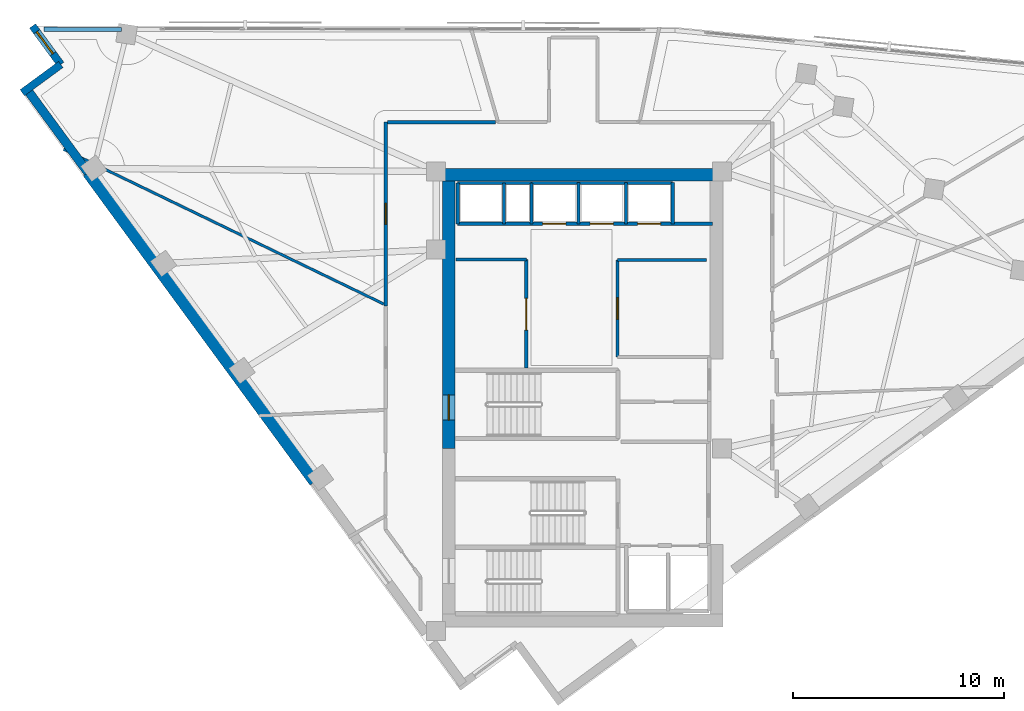
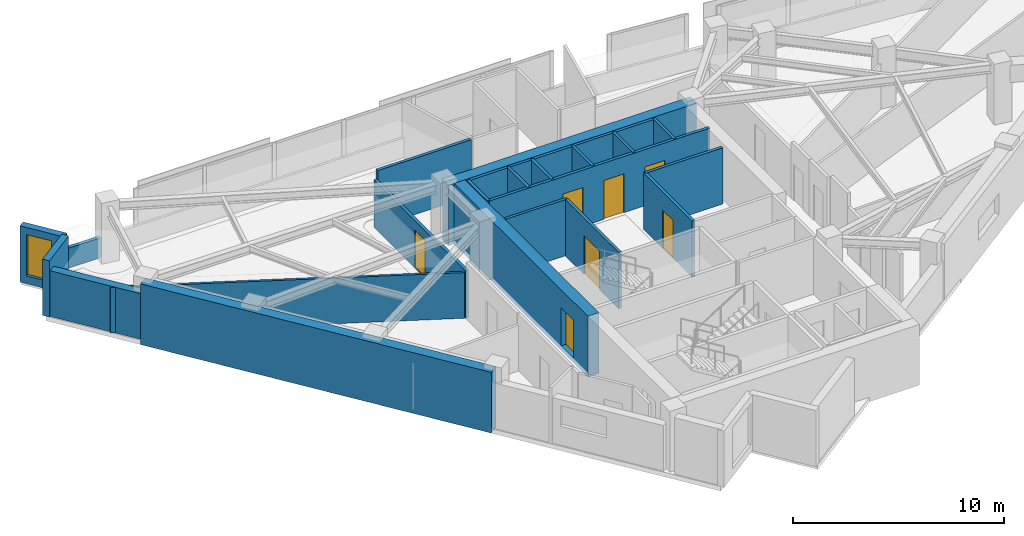
# One storey, part 9 of 13: 23 walls, 7 doors, 1 window, 8 openings.
"""IFC4 building model written with IfcOpenShell, lengths in metres."""

from ifc_helpers import new_model, si_unit, direction, frame, frame_2d, origin, place, context, subcontext, project, spatial, rectangle, extrude, material, layer, layer_set, type_object, element, fill, save


model = new_model("IFC4")

# Units and contexts
model_context = context("Model", 3, precision=1e-05, world=origin(), true_north=direction((0.0, 1.0)))
body_context = subcontext(model_context, "Body", "Model", "MODEL_VIEW")
ifc_project = project(units=[si_unit("LENGTHUNIT", "METRE"), si_unit("AREAUNIT", "SQUARE_METRE"), si_unit("VOLUMEUNIT", "CUBIC_METRE"), si_unit("PLANEANGLEUNIT", "RADIAN"), si_unit("MASSUNIT", "GRAM", prefix="KILO")], contexts=[model_context])

# Site, building, storey
site_placement = place(None, origin())
site = spatial("IfcSite", under=ifc_project, at=site_placement, CompositionType="ELEMENT")
building_placement = place(site_placement, origin())
building = spatial("IfcBuilding", under=site, at=building_placement, Name="Narakoshi Arena Tower", CompositionType="ELEMENT")
storey_placement = place(building_placement, frame((0.0, 0.0, 253.699951171875)))
storey = spatial("IfcBuildingStorey", under=building, at=storey_placement, Name="L69", CompositionType="ELEMENT", Elevation=253.699951171875)

# Wall, opening, door
ifc_material_1 = material(Name="Concrete C50/60", Category="concrete")
ifc_layer_1 = layer(ifc_material_1, 0.60009765625)
ifc_layer_set_1 = layer_set([ifc_layer_1], Name="Concrete C50/60")
wall_type_1 = type_object("IfcWallType", Name="WL-CORE-600", PredefinedType="SHEAR", material=ifc_layer_set_1)
wall_1_placement = place(storey_placement, frame((72.60009765625, 43.35009765625, -0.260009765625), z_axis=(0.0, 0.0, 1.0), x_axis=(0.0, 1.0, 0.0)))
wall_1 = element("IfcWall", 1, at=wall_1_placement, inside=storey, type_object=wall_type_1, Name="L69 Main Core Shear Wall CW-MN-W", PredefinedType="SHEAR", context=body_context, shape_type="SweptSolid", body=[
    extrude(rectangle(XDim=12.699951171875, YDim=0.60009765625, at=frame_2d((6.35009765625, 0.0))), origin(), (0.0, 0.0, 1.0), 3.52001953125),
])
opening_1_placement = place(wall_1_placement, frame((1.35009765625, 0.0, 0.260009765625)))
opening_1 = element("IfcOpeningElement", 2, at=opening_1_placement, cuts=wall_1, Name="Opening D-03", PredefinedType="OPENING", context=body_context, shape_type="SweptSolid", body=[
    extrude(rectangle(XDim=1.199951171875, YDim=2.199951171875, at=frame_2d((0.60009765625, 1.10009765625))), frame((0.0, 0.31005859375, 0.0), z_axis=(0.0, -1.0, 0.0), x_axis=(1.0, 0.0, 0.0)), (0.0, 0.0, 1.0), 0.6201171875),
])
ifc_material_2 = material(Name="Painted galvanized steel", Category="steel")
door_type_1 = type_object("IfcDoorType", Name="DR-STR-1200", OperationType="NOTDEFINED", PredefinedType="USERDEFINED", material=ifc_material_2)
door_1_placement = place(opening_1_placement, frame((1.199951171875, 0.0, 0.0), z_axis=(0.0, 0.0, 1.0), x_axis=(-1.0, 0.0, 0.0)))
door_1 = element("IfcDoor", 3, at=door_1_placement, inside=storey, type_object=door_type_1, Name="DR-L69-006", ObjectType="EXITDOOR", OperationType="SINGLE_SWING_LEFT", OverallHeight=2.199951171875, OverallWidth=1.199951171875, PredefinedType="USERDEFINED", context=body_context, shape_type="SweptSolid", body=[
    extrude(rectangle(XDim=1.199951171875, YDim=2.199951171875, at=frame_2d((0.60009765625, 1.10009765625))), frame((0.0, 0.02490234375, 0.0), z_axis=(0.0, -1.0, 0.0), x_axis=(1.0, 0.0, 0.0)), (0.0, 0.0, 1.0), 0.050048828125),
])
fill(opening_1, door_1)

# Wall
wall_2_placement = place(storey_placement, frame((72.0, 56.35009765625, -0.260009765625), z_axis=(0.0, 0.0, 1.0), x_axis=(1.0, 0.0, 0.0)))
element("IfcWall", 4, at=wall_2_placement, inside=storey, type_object=wall_type_1, Name="L69 Main Core Shear Wall CW-MN-N", PredefinedType="SHEAR", context=body_context, shape_type="SweptSolid", body=[
    extrude(rectangle(XDim=13.60009765625, YDim=0.60009765625, at=frame_2d((6.800048828125, 0.0))), origin(), (0.0, 0.0, 1.0), 3.52001953125),
])

# Wall, opening, door
ifc_material_3 = material(Name="Gypsum plasterboard fire-rated partition")
ifc_layer_2 = layer(ifc_material_3, 0.1650390625)
ifc_layer_set_2 = layer_set([ifc_layer_2], Name="Gypsum plasterboard fire-rated partition")
wall_type_2 = type_object("IfcWallType", Name="WL-CORR-165", PredefinedType="PARTITIONING", material=ifc_layer_set_2)
wall_3_placement = place(storey_placement, frame((69.60009765625, 58.85009765625, 0.0), z_axis=(0.0, 0.0, 1.0), x_axis=(0.0, -1.0, 0.0)))
wall_3 = element("IfcWall", 5, at=wall_3_placement, inside=storey, type_object=wall_type_2, Name="L69 Corridor Partition 08-1", PredefinedType="PARTITIONING", context=body_context, shape_type="SweptSolid", body=[
    extrude(rectangle(XDim=8.7197265625, YDim=0.1650390625, at=frame_2d((4.35986328125, 0.0))), origin(), (0.0, 0.0, 1.0), 2.7451171875),
])
opening_2_placement = place(wall_3_placement, frame((3.85986328125, 0.0, 0.0)))
opening_2 = element("IfcOpeningElement", 6, at=opening_2_placement, cuts=wall_3, Name="Opening D-06", PredefinedType="OPENING", context=body_context, shape_type="SweptSolid", body=[
    extrude(rectangle(XDim=1.0, YDim=2.199951171875, at=frame_2d((0.5, 1.10009765625))), frame((0.0, 0.092529296875, 0.0), z_axis=(0.0, -1.0, 0.0), x_axis=(1.0, 0.0, 0.0)), (0.0, 0.0, 1.0), 0.18505859375),
])
ifc_material_4 = material(Name="Stained oak solid-core timber", Category="wood")
door_type_2 = type_object("IfcDoorType", Name="DR-OFF-1000", OperationType="NOTDEFINED", PredefinedType="DOOR", material=ifc_material_4)
door_2_placement = place(opening_2_placement, frame((1.0, 0.0, 0.0), z_axis=(0.0, 0.0, 1.0), x_axis=(-1.0, 0.0, 0.0)))
door_2 = element("IfcDoor", 7, at=door_2_placement, inside=storey, type_object=door_type_2, Name="DR-L69-021", OperationType="SINGLE_SWING_RIGHT", OverallHeight=2.199951171875, OverallWidth=1.0, PredefinedType="DOOR", context=body_context, shape_type="SweptSolid", body=[
    extrude(rectangle(XDim=1.0, YDim=2.199951171875, at=frame_2d((0.5, 1.10009765625))), frame((0.0, 0.02490234375, 0.0), z_axis=(0.0, -1.0, 0.0), x_axis=(1.0, 0.0, 0.0)), (0.0, 0.0, 1.0), 0.050048828125),
])
fill(opening_2, door_2)

# Walls
wall_4_placement = place(storey_placement, frame((74.812255859375, 58.85009765625, 0.0), z_axis=(0.0, 0.0, 1.0), x_axis=(-1.0, 0.0, 0.0)))
element("IfcWall", 8, at=wall_4_placement, inside=storey, type_object=wall_type_2, Name="L69 Corridor Partition 08-2", PredefinedType="PARTITIONING", context=body_context, shape_type="SweptSolid", body=[
    extrude(rectangle(XDim=5.11767578125, YDim=0.1650390625, at=frame_2d((2.558837890625, 0.0))), origin(), (0.0, 0.0, 1.0), 3.260009765625),
])
ifc_layer_3 = layer(ifc_material_1, 0.550048828125)
ifc_layer_set_3 = layer_set([ifc_layer_3], Name="Concrete C50/60")
wall_type_3 = type_object("IfcWallType", Name="WL-LEG-550", PredefinedType="SHEAR", material=ifc_layer_set_3)
wall_5_placement = place(storey_placement, frame((55.47509765625, 56.450439453125, -0.260009765625), z_axis=(0.0, 0.0, 1.0), x_axis=(0.591309555876, -0.806444672082, 0.0)))
element("IfcWall", 9, at=wall_5_placement, inside=storey, type_object=wall_type_3, Name="L69 Architectural Concrete Structural Wall LEGB-2", PredefinedType="SHEAR", context=body_context, shape_type="SweptSolid", body=[
    extrude(rectangle(XDim=18.1923828125, YDim=0.550048828125, at=frame_2d((9.09619140625, 0.0))), origin(), (0.0, 0.0, 1.0), 3.52001953125),
])
ifc_material_5 = material(Name="Precast concrete C45/55", Category="concrete")
ifc_layer_4 = layer(ifc_material_5, 0.25)
ifc_layer_set_4 = layer_set([ifc_layer_4], Name="Precast concrete C45/55")
wall_type_4 = type_object("IfcWallType", Name="WL-PARA-250", PredefinedType="PARAPET", material=ifc_layer_set_4)
wall_6_placement = place(storey_placement, frame((57.064208984375, 63.240966796875, 0.0), z_axis=(0.0, 0.0, 1.0), x_axis=(-0.999998274159, 0.001857869529, 0.0)))
element("IfcWall", 10, at=wall_6_placement, inside=storey, type_object=wall_type_4, Name="L69 Hypotenuse Sill Upstand Parapet 2-02", PredefinedType="PARAPET", context=body_context, shape_type="SweptSolid", body=[
    extrude(rectangle(XDim=3.679443359375, YDim=0.199951171875, at=frame_2d((1.83984375, 0.0))), origin(), (0.0, 0.0, 1.0), 1.150146484375),
])
ifc_layer_5 = layer(ifc_material_3, 0.125)
ifc_layer_set_5 = layer_set([ifc_layer_5], Name="Gypsum plasterboard fire-rated partition")
wall_type_5 = type_object("IfcWallType", Name="WL-PART-125", PredefinedType="PARTITIONING", material=ifc_layer_set_5)
wall_7_placement = place(storey_placement, frame((69.505615234375, 50.21630859375, 0.0), z_axis=(0.0, 0.0, 1.0), x_axis=(-0.900309526524, 0.435250222803, 0.0)))
element("IfcWall", 11, at=wall_7_placement, inside=storey, type_object=wall_type_5, Name="L69 Inter-Room Partition 08-09", PredefinedType="PARTITIONING", context=body_context, shape_type="SweptSolid", body=[
    extrude(rectangle(XDim=16.863525390625, YDim=0.125, at=frame_2d((8.431640625, 0.0))), origin(), (0.0, 0.0, 1.0), 2.64501953125),
])
ifc_layer_6 = layer(ifc_material_5, 0.419921875)
ifc_layer_set_6 = layer_set([ifc_layer_6], Name="Precast concrete C45/55")
wall_type_6 = type_object("IfcWallType", Name="WL-POD-420", PredefinedType="SOLIDWALL", material=ifc_layer_set_6)
wall_8_placement = place(storey_placement, frame((52.578857421875, 60.400390625, 0.0), z_axis=(0.0, 0.0, 1.0), x_axis=(0.591311800505, -0.806443026248, 0.0)))
element("IfcWall", 12, at=wall_8_placement, inside=storey, type_object=wall_type_6, Name="L69 Architectural Concrete Facade Wall LEGB-1", PredefinedType="SOLIDWALL", context=body_context, shape_type="SweptSolid", body=[
    extrude(rectangle(XDim=4.89794921875, YDim=0.419921875, at=frame_2d((2.448974609375, 0.0))), origin(), (0.0, 0.0, 1.0), 2.64501953125),
])

# Wall, opening, window
wall_9_placement = place(storey_placement, frame((52.84521484375, 63.40869140625, 0.0), z_axis=(0.0, 0.0, 1.0), x_axis=(0.591251685745, -0.806487101015, 0.0)))
wall_9 = element("IfcWall", 13, at=wall_9_placement, inside=storey, type_object=wall_type_6, Name="L69 Re-Entrant Corner Notch Wall NTN-1", PredefinedType="SOLIDWALL", context=body_context, shape_type="SweptSolid", body=[
    extrude(rectangle(XDim=2.2685546875, YDim=0.360107421875, at=frame_2d((1.13427734375, 0.0))), origin(), (0.0, 0.0, 1.0), 3.260009765625),
])
opening_3_placement = place(wall_9_placement, frame((0.340087890625, 0.0, 0.449951171875)))
opening_3 = element("IfcOpeningElement", 14, at=opening_3_placement, cuts=wall_9, Name="Opening WN-06", PredefinedType="OPENING", context=body_context, shape_type="SweptSolid", body=[
    extrude(rectangle(XDim=1.300048828125, YDim=2.39990234375, at=frame_2d((0.64990234375, 1.199951171875))), frame((0.0, 0.18994140625, 0.0), z_axis=(0.0, -1.0, 0.0), x_axis=(1.0, 0.0, 0.0)), (0.0, 0.0, 1.0), 0.380126953125),
])
ifc_material_6 = material(Name="Bronze-tinted low-E laminated glass", Category="glass")
window_type = type_object("IfcWindowType", Name="WIN-NTC-16x24", PartitioningType="SINGLE_PANEL", PredefinedType="WINDOW", material=ifc_material_6)
window_placement = place(opening_3_placement, origin())
window = element("IfcWindow", 15, at=window_placement, inside=storey, type_object=window_type, Name="L69 Corner Notch Window NTN", OverallHeight=2.39990234375, OverallWidth=1.300048828125, PartitioningType="SINGLE_PANEL", PredefinedType="WINDOW", context=body_context, shape_type="SweptSolid", body=[
    extrude(rectangle(XDim=1.300048828125, YDim=2.39990234375, at=frame_2d((0.64990234375, 1.199951171875))), frame((0.0, 0.030029296875, 0.0), z_axis=(0.0, -1.0, 0.0), x_axis=(1.0, 0.0, 0.0)), (0.0, 0.0, 1.0), 0.06005859375),
])
fill(opening_3, window)

# Walls
wall_10_placement = place(storey_placement, frame((54.1865234375, 61.5791015625, 0.0), z_axis=(0.0, 0.0, 1.0), x_axis=(-0.806449475274, -0.591303005092, 0.0)))
element("IfcWall", 16, at=wall_10_placement, inside=storey, type_object=wall_type_6, Name="L69 Re-Entrant Corner Notch Wall NTN-2", PredefinedType="SOLIDWALL", context=body_context, shape_type="SweptSolid", body=[
    extrude(rectangle(XDim=2.268310546875, YDim=0.360107421875, at=frame_2d((1.13427734375, 0.0))), origin(), (0.0, 0.0, 1.0), 3.260009765625),
])
ifc_material_7 = material(Name="Concrete C40/50", Category="concrete")
ifc_layer_7 = layer(ifc_material_7, 0.280029296875)
ifc_layer_set_7 = layer_set([ifc_layer_7], Name="Concrete C40/50")
wall_type_7 = type_object("IfcWallType", Name="WL-RISER-280", PredefinedType="PLUMBINGWALL", material=ifc_layer_set_7)
for number, where, z_axis, x_axis, name in (
    (17, (73.02001953125, 54.02001953125, 0.0), (0.0, 0.0, 1.0), (0.0, 1.0, 0.0), "L69 Core Wall OBS-W"),
    (18, (75.219970703125, 54.02001953125, 0.0), (0.0, 0.0, 1.0), (0.0, 1.0, 0.0), "L69 Core Wall OBS-M"),
):
    element("IfcWall", number, at=place(storey_placement, frame(where, z_axis=z_axis, x_axis=x_axis)), inside=storey, type_object=wall_type_7, Name=name, PredefinedType="PLUMBINGWALL", context=body_context, shape_type="SweptSolid", body=[
        extrude(rectangle(XDim=1.93994140625, YDim=0.14990234375, at=frame_2d((0.969970703125, 0.0))), origin(), (0.0, 0.0, 1.0), 3.260009765625),
    ])
for number, where, z_axis, x_axis, name in (
    (19, (78.75, 54.02001953125, 0.0), (0.0, 0.0, 1.0), (0.0, 1.0, 0.0), "L69 Core Wall HR-D1"),
    (20, (81.0, 54.02001953125, 0.0), (0.0, 0.0, 1.0), (0.0, 1.0, 0.0), "L69 Core Wall HR-D2"),
):
    element("IfcWall", number, at=place(storey_placement, frame(where, z_axis=z_axis, x_axis=x_axis)), inside=storey, type_object=wall_type_7, Name=name, PredefinedType="PLUMBINGWALL", context=body_context, shape_type="SweptSolid", body=[
        extrude(rectangle(XDim=1.9599609375, YDim=0.14990234375, at=frame_2d((0.97998046875, 0.0))), origin(), (0.0, 0.0, 1.0), 3.260009765625),
    ])

# Wall, opening, door
ifc_layer_8 = layer(ifc_material_1, 0.35009765625)
ifc_layer_set_8 = layer_set([ifc_layer_8], Name="Concrete C50/60")
wall_type_8 = type_object("IfcWallType", Name="WL-SHAFT-350", PredefinedType="SOLIDWALL", material=ifc_layer_set_8)
wall_11_placement = place(storey_placement, frame((76.280029296875, 47.179931640625, 0.0), z_axis=(0.0, 0.0, 1.0), x_axis=(0.0, 1.0, 0.0)))
wall_11 = element("IfcWall", 21, at=wall_11_placement, inside=storey, type_object=wall_type_8, Name="L69 Core Wall LR-E", PredefinedType="SOLIDWALL", context=body_context, shape_type="SweptSolid", body=[
    extrude(rectangle(XDim=5.14013671875, YDim=0.159912109375, at=frame_2d((2.570068359375, 0.0))), origin(), (0.0, 0.0, 1.0), 3.260009765625),
])
opening_4_placement = place(wall_11_placement, frame((1.800048828125, 0.0, 0.0)))
opening_4 = element("IfcOpeningElement", 22, at=opening_4_placement, cuts=wall_11, Name="Opening D-09", PredefinedType="OPENING", context=body_context, shape_type="SweptSolid", body=[
    extrude(rectangle(XDim=1.5, YDim=2.25, at=frame_2d((0.75, 1.125))), frame((0.0, 0.08984375, 0.0), z_axis=(0.0, -1.0, 0.0), x_axis=(1.0, 0.0, 0.0)), (0.0, 0.0, 1.0), 0.179931640625),
])
door_type_3 = type_object("IfcDoorType", Name="DR-PLT-1500", OperationType="DOUBLE_DOOR_SINGLE_SWING", PredefinedType="DOOR", material=ifc_material_2)
door_3_placement = place(opening_4_placement, frame((1.5, 0.0, 0.0), z_axis=(0.0, 0.0, 1.0), x_axis=(-1.0, 0.0, 0.0)))
door_3 = element("IfcDoor", 23, at=door_3_placement, inside=storey, type_object=door_type_3, Name="DR-L69-009", OperationType="DOUBLE_DOOR_SINGLE_SWING", OverallHeight=2.25, OverallWidth=1.5, PredefinedType="DOOR", context=body_context, shape_type="SweptSolid", body=[
    extrude(rectangle(XDim=1.5, YDim=2.25, at=frame_2d((0.75, 1.125))), frame((0.0, 0.02490234375, 0.0), z_axis=(0.0, -1.0, 0.0), x_axis=(1.0, 0.0, 0.0)), (0.0, 0.0, 1.0), 0.050048828125),
])
fill(opening_4, door_3)

# Wall
wall_12_placement = place(storey_placement, frame((72.949951171875, 52.320068359375, 0.0), z_axis=(0.0, 0.0, 1.0), x_axis=(1.0, 0.0, 0.0)))
element("IfcWall", 24, at=wall_12_placement, inside=storey, type_object=wall_type_8, Name="L69 Core Wall LR-N", PredefinedType="SOLIDWALL", context=body_context, shape_type="SweptSolid", body=[
    extrude(rectangle(XDim=3.330078125, YDim=0.14990234375, at=frame_2d((1.6650390625, 0.0))), origin(), (0.0, 0.0, 1.0), 3.260009765625),
])

# Wall, opening, door
wall_13_placement = place(storey_placement, frame((80.60009765625, 47.699951171875, 0.0), z_axis=(0.0, 0.0, 1.0), x_axis=(0.0, 1.0, 0.0)))
wall_13 = element("IfcWall", 25, at=wall_13_placement, inside=storey, type_object=wall_type_8, Name="L69 Core Wall MR-W", PredefinedType="SOLIDWALL", context=body_context, shape_type="SweptSolid", body=[
    extrude(rectangle(XDim=4.60009765625, YDim=0.159912109375, at=frame_2d((2.300048828125, 0.0))), origin(), (0.0, 0.0, 1.0), 3.260009765625),
])
opening_5_placement = place(wall_13_placement, frame((1.800048828125, 0.0, 0.0)))
opening_5 = element("IfcOpeningElement", 26, at=opening_5_placement, cuts=wall_13, Name="Opening D-06", PredefinedType="OPENING", context=body_context, shape_type="SweptSolid", body=[
    extrude(rectangle(XDim=1.0, YDim=2.199951171875, at=frame_2d((0.5, 1.10009765625))), frame((0.0, 0.08984375, 0.0), z_axis=(0.0, -1.0, 0.0), x_axis=(1.0, 0.0, 0.0)), (0.0, 0.0, 1.0), 0.179931640625),
])
door_4_placement = place(opening_5_placement, origin())
door_4 = element("IfcDoor", 27, at=door_4_placement, inside=storey, type_object=door_type_2, Name="DR-L69-010", OperationType="SINGLE_SWING_LEFT", OverallHeight=2.199951171875, OverallWidth=1.0, PredefinedType="DOOR", context=body_context, shape_type="SweptSolid", body=[
    extrude(rectangle(XDim=1.0, YDim=2.199951171875, at=frame_2d((0.5, 1.10009765625))), frame((0.0, 0.02490234375, 0.0), z_axis=(0.0, -1.0, 0.0), x_axis=(1.0, 0.0, 0.0)), (0.0, 0.0, 1.0), 0.050048828125),
])
fill(opening_5, door_4)

# Wall
wall_14_placement = place(storey_placement, frame((80.60009765625, 52.300048828125, 0.0), z_axis=(0.0, 0.0, 1.0), x_axis=(1.0, 0.0, 0.0)))
element("IfcWall", 28, at=wall_14_placement, inside=storey, type_object=wall_type_8, Name="L69 Core Wall MR-N", PredefinedType="SOLIDWALL", context=body_context, shape_type="SweptSolid", body=[
    extrude(rectangle(XDim=4.219970703125, YDim=0.159912109375, at=frame_2d((2.10986328125, 0.0))), origin(), (0.0, 0.0, 1.0), 3.260009765625),
])

# Wall, openings, doors
wall_15_placement = place(storey_placement, frame((73.02001953125, 54.02001953125, 0.0), z_axis=(0.0, 0.0, 1.0), x_axis=(1.0, 0.0, 0.0)))
wall_15 = element("IfcWall", 29, at=wall_15_placement, inside=storey, type_object=wall_type_8, Name="L69 Core Wall NSHF-S", PredefinedType="SOLIDWALL", context=body_context, shape_type="SweptSolid", body=[
    extrude(rectangle(XDim=12.080078125, YDim=0.159912109375, at=frame_2d((6.0400390625, 0.0))), origin(), (0.0, 0.0, 1.0), 3.260009765625),
])
opening_6_placement = place(wall_15_placement, frame((4.030029296875, 0.0, 0.0)))
opening_6 = element("IfcOpeningElement", 30, at=opening_6_placement, cuts=wall_15, Name="Opening LD-01", PredefinedType="OPENING", context=body_context, shape_type="SweptSolid", body=[
    extrude(rectangle(XDim=1.10009765625, YDim=2.25, at=frame_2d((0.550048828125, 1.125))), frame((0.0, 0.08984375, 0.0), z_axis=(0.0, -1.0, 0.0), x_axis=(1.0, 0.0, 0.0)), (0.0, 0.0, 1.0), 0.179931640625),
])
opening_7_placement = place(wall_15_placement, frame((6.280029296875, 0.0, 0.0)))
opening_7 = element("IfcOpeningElement", 31, at=opening_7_placement, cuts=wall_15, Name="Opening LD-01", PredefinedType="OPENING", context=body_context, shape_type="SweptSolid", body=[
    extrude(rectangle(XDim=1.10009765625, YDim=2.25, at=frame_2d((0.550048828125, 1.125))), frame((0.0, 0.08984375, 0.0), z_axis=(0.0, -1.0, 0.0), x_axis=(1.0, 0.0, 0.0)), (0.0, 0.0, 1.0), 0.179931640625),
])
opening_8_placement = place(wall_15_placement, frame((8.530029296875, 0.0, 0.0)))
opening_8 = element("IfcOpeningElement", 32, at=opening_8_placement, cuts=wall_15, Name="Opening LD-01", PredefinedType="OPENING", context=body_context, shape_type="SweptSolid", body=[
    extrude(rectangle(XDim=1.10009765625, YDim=2.25, at=frame_2d((0.550048828125, 1.125))), frame((0.0, 0.08984375, 0.0), z_axis=(0.0, -1.0, 0.0), x_axis=(1.0, 0.0, 0.0)), (0.0, 0.0, 1.0), 0.179931640625),
])
ifc_material_8 = material(Name="Brushed bronze stainless steel", Category="steel")
door_type_4 = type_object("IfcDoorType", Name="DR-LFT-1100", OperationType="DOUBLE_DOOR_SLIDING", PredefinedType="DOOR", material=ifc_material_8)
door_5_placement = place(opening_6_placement, origin())
door_5 = element("IfcDoor", 33, at=door_5_placement, inside=storey, type_object=door_type_4, Name="DR-L69-011", OperationType="DOUBLE_DOOR_SLIDING", OverallHeight=2.25, OverallWidth=1.10009765625, PredefinedType="DOOR", context=body_context, shape_type="SweptSolid", body=[
    extrude(rectangle(XDim=1.10009765625, YDim=2.25, at=frame_2d((0.550048828125, 1.125))), frame((0.0, 0.02490234375, 0.0), z_axis=(0.0, -1.0, 0.0), x_axis=(1.0, 0.0, 0.0)), (0.0, 0.0, 1.0), 0.050048828125),
])
fill(opening_6, door_5)
door_6_placement = place(opening_7_placement, origin())
door_6 = element("IfcDoor", 34, at=door_6_placement, inside=storey, type_object=door_type_4, Name="DR-L69-012", OperationType="DOUBLE_DOOR_SLIDING", OverallHeight=2.25, OverallWidth=1.10009765625, PredefinedType="DOOR", context=body_context, shape_type="SweptSolid", body=[
    extrude(rectangle(XDim=1.10009765625, YDim=2.25, at=frame_2d((0.550048828125, 1.125))), frame((0.0, 0.02490234375, 0.0), z_axis=(0.0, -1.0, 0.0), x_axis=(1.0, 0.0, 0.0)), (0.0, 0.0, 1.0), 0.050048828125),
])
fill(opening_7, door_6)
door_7_placement = place(opening_8_placement, origin())
door_7 = element("IfcDoor", 35, at=door_7_placement, inside=storey, type_object=door_type_4, Name="DR-L69-013", OperationType="DOUBLE_DOOR_SLIDING", OverallHeight=2.25, OverallWidth=1.10009765625, PredefinedType="DOOR", context=body_context, shape_type="SweptSolid", body=[
    extrude(rectangle(XDim=1.10009765625, YDim=2.25, at=frame_2d((0.550048828125, 1.125))), frame((0.0, 0.02490234375, 0.0), z_axis=(0.0, -1.0, 0.0), x_axis=(1.0, 0.0, 0.0)), (0.0, 0.0, 1.0), 0.050048828125),
])
fill(opening_8, door_7)

# Walls
wall_16_placement = place(storey_placement, frame((73.02001953125, 55.9599609375, 0.0), z_axis=(0.0, 0.0, 1.0), x_axis=(1.0, 0.0, 0.0)))
element("IfcWall", 36, at=wall_16_placement, inside=storey, type_object=wall_type_8, Name="L69 Core Wall OBS-N", PredefinedType="SOLIDWALL", context=body_context, shape_type="SweptSolid", body=[
    extrude(rectangle(XDim=3.5, YDim=0.14990234375, at=frame_2d((1.75, 0.0))), origin(), (0.0, 0.0, 1.0), 3.260009765625),
])
wall_17_placement = place(storey_placement, frame((76.52001953125, 54.02001953125, 0.0), z_axis=(0.0, 0.0, 1.0), x_axis=(0.0, 1.0, 0.0)))
element("IfcWall", 37, at=wall_17_placement, inside=storey, type_object=wall_type_8, Name="L69 Core Wall OBS-E", PredefinedType="SOLIDWALL", context=body_context, shape_type="SweptSolid", body=[
    extrude(rectangle(XDim=1.93994140625, YDim=0.14990234375, at=frame_2d((0.969970703125, 0.0))), origin(), (0.0, 0.0, 1.0), 3.260009765625),
])
wall_18_placement = place(storey_placement, frame((83.219970703125, 54.02001953125, 0.0), z_axis=(0.0, 0.0, 1.0), x_axis=(0.0, 1.0, 0.0)))
element("IfcWall", 38, at=wall_18_placement, inside=storey, type_object=wall_type_8, Name="L69 Core Wall HR-E", PredefinedType="SOLIDWALL", context=body_context, shape_type="SweptSolid", body=[
    extrude(rectangle(XDim=1.9599609375, YDim=0.14990234375, at=frame_2d((0.97998046875, 0.0))), origin(), (0.0, 0.0, 1.0), 3.260009765625),
])
wall_19_placement = place(storey_placement, frame((76.52001953125, 55.9599609375, 0.0), z_axis=(0.0, 0.0, 1.0), x_axis=(1.0, 0.0, 0.0)))
element("IfcWall", 39, at=wall_19_placement, inside=storey, type_object=wall_type_8, Name="L69 Core Wall HR-N", PredefinedType="SOLIDWALL", context=body_context, shape_type="SweptSolid", body=[
    extrude(rectangle(XDim=6.699951171875, YDim=0.14990234375, at=frame_2d((3.35009765625, 0.0))), origin(), (0.0, 0.0, 1.0), 3.260009765625),
])

save(model, "model.ifc")
